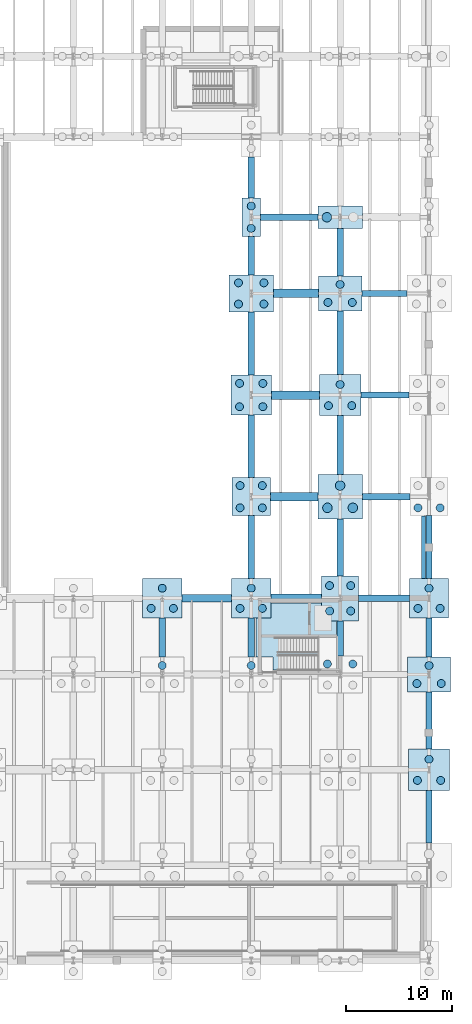
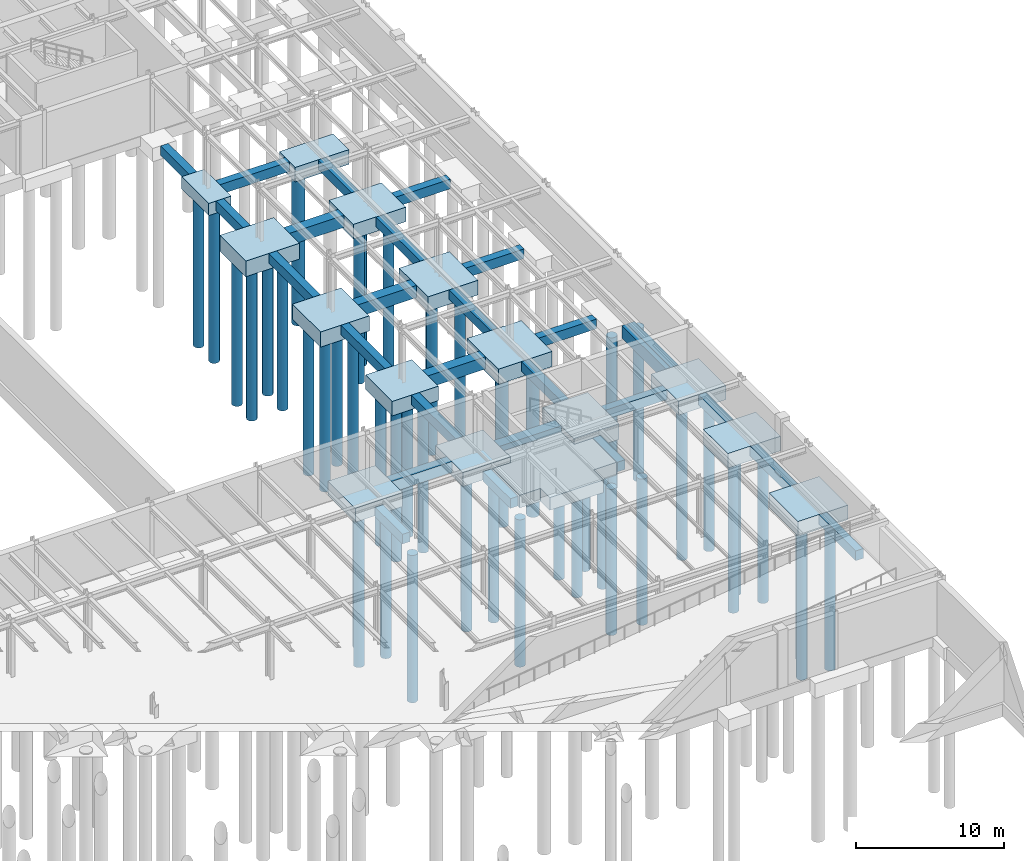
# One storey, part 11 of 59: 49 piles, 42 footings.
"""IFC4 building model written with IfcOpenShell, lengths in metres."""

from ifc_helpers import new_model, si_unit, direction, frame, origin, origin_2d, place, context, subcontext, project, spatial, polyline, rectangle, circle, outline, extrude, material, material_profile, profile_set, type_object, element, save


model = new_model("IFC4")

# Units and contexts
model_context = context("Model", 3, precision=1e-05, world=origin(), true_north=direction((0.0, 1.0)))
body_context = subcontext(model_context, "Body", "Model", "MODEL_VIEW")
ifc_project = project(units=[si_unit("LENGTHUNIT", "METRE"), si_unit("AREAUNIT", "SQUARE_METRE"), si_unit("VOLUMEUNIT", "CUBIC_METRE"), si_unit("PLANEANGLEUNIT", "RADIAN"), si_unit("MASSUNIT", "GRAM", prefix="KILO")], contexts=[model_context])

# Site, building, storey
site_placement = place(None, origin())
site = spatial("IfcSite", under=ifc_project, at=site_placement, CompositionType="ELEMENT")
building_placement = place(site_placement, origin())
building = spatial("IfcBuilding", under=site, at=building_placement, Name="Montealbar Specialist Clinic", CompositionType="ELEMENT")
storey_placement = place(building_placement, frame((0.0, 0.0, -4.800048828125)))
storey = spatial("IfcBuildingStorey", under=building, at=storey_placement, Name="B01", CompositionType="ELEMENT", Elevation=-4.800048828125)

# Footings
ifc_material = material(Name="Concrete C35/45", Category="concrete")
footing_type_1 = type_object("IfcFootingType", Name="FB-TIE-600x800", PredefinedType="FOOTING_BEAM", material=ifc_material)
footing_1_placement = place(storey_placement, frame((0.0, 0.0, -0.800048828125)))
element("IfcFooting", 1, at=footing_1_placement, inside=storey, type_object=footing_type_1, Name="Foundation Ground Beam FBX-1554-1602-522", PredefinedType="FOOTING_BEAM", context=body_context, shape_type="SweptSolid", body=[
    extrude(outline(polyline([(155.35009765625, 51.89990234375), (160.14990234375, 51.89990234375), (160.14990234375, 52.5), (155.35009765625, 52.5), (155.35009765625, 51.89990234375)])), origin(), (0.0, 0.0, 1.0), 0.800048828125),
])
footing_2_placement = place(storey_placement, frame((0.0, 0.0, -0.800048828125)))
element("IfcFooting", 2, at=footing_2_placement, inside=storey, type_object=footing_type_1, Name="Foundation Ground Beam FBX-1557-1602-618", PredefinedType="FOOTING_BEAM", context=body_context, shape_type="SweptSolid", body=[
    extrude(outline(polyline([(155.699951171875, 61.5), (160.199951171875, 61.5), (160.199951171875, 62.10009765625), (155.699951171875, 62.10009765625), (155.699951171875, 61.5)])), origin(), (0.0, 0.0, 1.0), 0.800048828125),
])
footing_3_placement = place(storey_placement, frame((0.0, 0.0, -0.800048828125)))
element("IfcFooting", 3, at=footing_3_placement, inside=storey, type_object=footing_type_1, Name="Foundation Ground Beam FBX-1556-1601-714", PredefinedType="FOOTING_BEAM", context=body_context, shape_type="SweptSolid", body=[
    extrude(outline(polyline([(155.550048828125, 71.10009765625), (160.10009765625, 71.10009765625), (160.10009765625, 71.699951171875), (155.550048828125, 71.699951171875), (155.550048828125, 71.10009765625)])), origin(), (0.0, 0.0, 1.0), 0.800048828125),
])
footing_4_placement = place(storey_placement, frame((0.0, 0.0, -0.800048828125)))
element("IfcFooting", 4, at=footing_4_placement, inside=storey, type_object=footing_type_1, Name="Foundation Ground Beam FBX-1556-1599-810", PredefinedType="FOOTING_BEAM", context=body_context, shape_type="SweptSolid", body=[
    extrude(outline(polyline([(155.64990234375, 80.699951171875), (159.89990234375, 80.699951171875), (159.89990234375, 81.300048828125), (155.64990234375, 81.300048828125), (155.64990234375, 80.699951171875)])), origin(), (0.0, 0.0, 1.0), 0.800048828125),
])
footing_5_placement = place(storey_placement, frame((0.0, 0.0, -0.800048828125)))
element("IfcFooting", 5, at=footing_5_placement, inside=storey, type_object=footing_type_1, Name="Foundation Ground Beam FBX-1461-1515-882", PredefinedType="FOOTING_BEAM", context=body_context, shape_type="SweptSolid", body=[
    extrude(outline(polyline([(146.074951171875, 87.89990234375), (151.5, 87.89990234375), (151.5, 88.5), (146.074951171875, 88.5), (146.074951171875, 87.89990234375)])), origin(), (0.0, 0.0, 1.0), 0.800048828125),
])
footing_6_placement = place(storey_placement, frame((0.0, 0.0, -1.25)))
element("IfcFooting", 6, at=footing_6_placement, inside=storey, type_object=footing_type_1, Name="Foundation Tie Beam FBY-1368-466-504", PredefinedType="FOOTING_BEAM", context=body_context, shape_type="SweptSolid", body=[
    extrude(outline(polyline([(136.5, 46.64990234375), (137.10009765625, 46.64990234375), (137.10009765625, 50.35009765625), (136.5, 50.35009765625), (136.5, 46.64990234375)])), origin(), (0.0, 0.0, 1.0), 0.800048828125),
])
footing_7_placement = place(storey_placement, frame((0.0, 0.0, -1.25)))
element("IfcFooting", 7, at=footing_7_placement, inside=storey, type_object=footing_type_1, Name="Foundation Tie Beam FBY-1452-466-504", PredefinedType="FOOTING_BEAM", context=body_context, shape_type="SweptSolid", body=[
    extrude(outline(polyline([(144.89990234375, 46.64990234375), (145.5, 46.64990234375), (145.5, 50.35009765625), (144.89990234375, 50.35009765625), (144.89990234375, 46.64990234375)])), origin(), (0.0, 0.0, 1.0), 0.800048828125),
])
footing_8_placement = place(storey_placement, frame((0.0, 0.0, -0.800048828125)))
element("IfcFooting", 8, at=footing_8_placement, inside=storey, type_object=footing_type_1, Name="Foundation Tie Beam FBY-1452-540-600", PredefinedType="FOOTING_BEAM", context=body_context, shape_type="SweptSolid", body=[
    extrude(outline(polyline([(144.89990234375, 54.050048828125), (145.5, 54.050048828125), (145.5, 60.0), (144.89990234375, 60.0), (144.89990234375, 54.050048828125)])), origin(), (0.0, 0.0, 1.0), 0.800048828125),
])
footing_9_placement = place(storey_placement, frame((0.0, 0.0, -0.800048828125)))
element("IfcFooting", 9, at=footing_9_placement, inside=storey, type_object=footing_type_1, Name="Foundation Tie Beam FBY-1452-636-695", PredefinedType="FOOTING_BEAM", context=body_context, shape_type="SweptSolid", body=[
    extrude(outline(polyline([(144.89990234375, 63.60009765625), (145.5, 63.60009765625), (145.5, 69.5), (144.89990234375, 69.5), (144.89990234375, 63.60009765625)])), origin(), (0.0, 0.0, 1.0), 0.800048828125),
])
footing_10_placement = place(storey_placement, frame((0.0, 0.0, -0.800048828125)))
element("IfcFooting", 10, at=footing_10_placement, inside=storey, type_object=footing_type_1, Name="Foundation Tie Beam FBY-1452-733-792", PredefinedType="FOOTING_BEAM", context=body_context, shape_type="SweptSolid", body=[
    extrude(outline(polyline([(144.89990234375, 73.300048828125), (145.5, 73.300048828125), (145.5, 79.25), (144.89990234375, 79.25), (144.89990234375, 73.300048828125)])), origin(), (0.0, 0.0, 1.0), 0.800048828125),
])
footing_11_placement = place(storey_placement, frame((0.0, 0.0, -0.800048828125)))
element("IfcFooting", 11, at=footing_11_placement, inside=storey, type_object=footing_type_1, Name="Foundation Tie Beam FBY-1452-828-864", PredefinedType="FOOTING_BEAM", context=body_context, shape_type="SweptSolid", body=[
    extrude(outline(polyline([(144.89990234375, 82.75), (145.5, 82.75), (145.5, 86.375), (144.89990234375, 86.375), (144.89990234375, 82.75)])), origin(), (0.0, 0.0, 1.0), 0.800048828125),
])
footing_12_placement = place(storey_placement, frame((0.0, 0.0, -0.800048828125)))
element("IfcFooting", 12, at=footing_12_placement, inside=storey, type_object=footing_type_1, Name="Foundation Tie Beam FBY-1452-900-939", PredefinedType="FOOTING_BEAM", context=body_context, shape_type="SweptSolid", body=[
    extrude(outline(polyline([(144.89990234375, 90.02490234375), (145.5, 90.02490234375), (145.5, 93.875), (144.89990234375, 93.875), (144.89990234375, 90.02490234375)])), origin(), (0.0, 0.0, 1.0), 0.800048828125),
])
footing_13_placement = place(storey_placement, frame((0.0, 0.0, -1.25)))
element("IfcFooting", 13, at=footing_13_placement, inside=storey, type_object=footing_type_1, Name="Foundation Tie Beam FBY-1536-468-501", PredefinedType="FOOTING_BEAM", context=body_context, shape_type="SweptSolid", body=[
    extrude(outline(polyline([(153.300048828125, 46.75), (153.89990234375, 46.75), (153.89990234375, 50.074951171875), (153.300048828125, 50.074951171875), (153.300048828125, 46.75)])), origin(), (0.0, 0.0, 1.0), 0.800048828125),
])
footing_14_placement = place(storey_placement, frame((0.0, 0.0, -0.800048828125)))
element("IfcFooting", 14, at=footing_14_placement, inside=storey, type_object=footing_type_1, Name="Foundation Tie Beam FBY-1536-543-597", PredefinedType="FOOTING_BEAM", context=body_context, shape_type="SweptSolid", body=[
    extrude(outline(polyline([(153.300048828125, 54.324951171875), (153.89990234375, 54.324951171875), (153.89990234375, 59.699951171875), (153.300048828125, 59.699951171875), (153.300048828125, 54.324951171875)])), origin(), (0.0, 0.0, 1.0), 0.800048828125),
])
footing_15_placement = place(storey_placement, frame((0.0, 0.0, -0.800048828125)))
element("IfcFooting", 15, at=footing_15_placement, inside=storey, type_object=footing_type_1, Name="Foundation Tie Beam FBY-1536-639-694", PredefinedType="FOOTING_BEAM", context=body_context, shape_type="SweptSolid", body=[
    extrude(outline(polyline([(153.300048828125, 63.89990234375), (153.89990234375, 63.89990234375), (153.89990234375, 69.449951171875), (153.300048828125, 69.449951171875), (153.300048828125, 63.89990234375)])), origin(), (0.0, 0.0, 1.0), 0.800048828125),
])
footing_16_placement = place(storey_placement, frame((0.0, 0.0, -0.800048828125)))
element("IfcFooting", 16, at=footing_16_placement, inside=storey, type_object=footing_type_1, Name="Foundation Tie Beam FBY-1536-734-794", PredefinedType="FOOTING_BEAM", context=body_context, shape_type="SweptSolid", body=[
    extrude(outline(polyline([(153.300048828125, 73.35009765625), (153.89990234375, 73.35009765625), (153.89990234375, 79.35009765625), (153.300048828125, 79.35009765625), (153.300048828125, 73.35009765625)])), origin(), (0.0, 0.0, 1.0), 0.800048828125),
])
footing_17_placement = place(storey_placement, frame((0.0, 0.0, -0.800048828125)))
element("IfcFooting", 17, at=footing_17_placement, inside=storey, type_object=footing_type_1, Name="Foundation Tie Beam FBY-1536-826-871", PredefinedType="FOOTING_BEAM", context=body_context, shape_type="SweptSolid", body=[
    extrude(outline(polyline([(153.300048828125, 82.64990234375), (153.89990234375, 82.64990234375), (153.89990234375, 87.125), (153.300048828125, 87.125), (153.300048828125, 82.64990234375)])), origin(), (0.0, 0.0, 1.0), 0.800048828125),
])
footing_18_placement = place(storey_placement, frame((0.0, 0.0, -0.800048828125)))
element("IfcFooting", 18, at=footing_18_placement, inside=storey, type_object=footing_type_1, Name="Foundation Tie Beam FBY-1620-291-340", PredefinedType="FOOTING_BEAM", context=body_context, shape_type="SweptSolid", body=[
    extrude(outline(polyline([(161.699951171875, 29.10009765625), (162.300048828125, 29.10009765625), (162.300048828125, 34.050048828125), (161.699951171875, 34.050048828125), (161.699951171875, 29.10009765625)])), origin(), (0.0, 0.0, 1.0), 0.800048828125),
])
footing_19_placement = place(storey_placement, frame((0.0, 0.0, -0.800048828125)))
element("IfcFooting", 19, at=footing_19_placement, inside=storey, type_object=footing_type_1, Name="Foundation Tie Beam FBY-1620-380-434", PredefinedType="FOOTING_BEAM", context=body_context, shape_type="SweptSolid", body=[
    extrude(outline(polyline([(161.699951171875, 37.949951171875), (162.300048828125, 37.949951171875), (162.300048828125, 43.35009765625), (161.699951171875, 43.35009765625), (161.699951171875, 37.949951171875)])), origin(), (0.0, 0.0, 1.0), 0.800048828125),
])
footing_20_placement = place(storey_placement, frame((0.0, 0.0, -0.800048828125)))
element("IfcFooting", 20, at=footing_20_placement, inside=storey, type_object=footing_type_1, Name="Foundation Tie Beam FBY-1620-466-504", PredefinedType="FOOTING_BEAM", context=body_context, shape_type="SweptSolid", body=[
    extrude(outline(polyline([(161.699951171875, 46.64990234375), (162.300048828125, 46.64990234375), (162.300048828125, 50.35009765625), (161.699951171875, 50.35009765625), (161.699951171875, 46.64990234375)])), origin(), (0.0, 0.0, 1.0), 0.800048828125),
])
footing_21_placement = place(storey_placement, frame((0.0, 0.0, -0.800048828125)))
element("IfcFooting", 21, at=footing_21_placement, inside=storey, type_object=footing_type_1, Name="Foundation Tie Beam FBY-1620-540-600", PredefinedType="FOOTING_BEAM", context=body_context, shape_type="SweptSolid", body=[
    extrude(outline(polyline([(161.699951171875, 54.050048828125), (162.300048828125, 54.050048828125), (162.300048828125, 60.0), (161.699951171875, 60.0), (161.699951171875, 54.050048828125)])), origin(), (0.0, 0.0, 1.0), 0.800048828125),
])
footing_type_2 = type_object("IfcFootingType", Name="FB-TIE-700x900", PredefinedType="FOOTING_BEAM", material=ifc_material)
footing_22_placement = place(storey_placement, frame((0.0, 0.0, -0.89990234375)))
element("IfcFooting", 22, at=footing_22_placement, inside=storey, type_object=footing_type_2, Name="Foundation Ground Beam FBX-1386-1434-522", PredefinedType="FOOTING_BEAM", context=body_context, shape_type="SweptSolid", body=[
    extrude(outline(polyline([(138.64990234375, 51.85009765625), (143.35009765625, 51.85009765625), (143.35009765625, 52.550048828125), (138.64990234375, 52.550048828125), (138.64990234375, 51.85009765625)])), origin(), (0.0, 0.0, 1.0), 0.89990234375),
])
footing_type_3 = type_object("IfcFootingType", Name="FB-TIE-800x1000", PredefinedType="FOOTING_BEAM", material=ifc_material)
footing_23_placement = place(storey_placement, frame((0.0, 0.0, -1.0)))
element("IfcFooting", 23, at=footing_23_placement, inside=storey, type_object=footing_type_3, Name="Foundation Ground Beam FBX-1470-1518-522", PredefinedType="FOOTING_BEAM", context=body_context, shape_type="SweptSolid", body=[
    extrude(outline(polyline([(147.050048828125, 51.800048828125), (151.85009765625, 51.800048828125), (151.85009765625, 52.60009765625), (147.050048828125, 52.60009765625), (147.050048828125, 51.800048828125)])), origin(), (0.0, 0.0, 1.0), 1.0),
])
footing_24_placement = place(storey_placement, frame((0.0, 0.0, -1.0)))
element("IfcFooting", 24, at=footing_24_placement, inside=storey, type_object=footing_type_3, Name="Foundation Ground Beam FBX-1470-1515-618", PredefinedType="FOOTING_BEAM", context=body_context, shape_type="SweptSolid", body=[
    extrude(outline(polyline([(147.0, 61.39990234375), (151.5, 61.39990234375), (151.5, 62.199951171875), (147.0, 62.199951171875), (147.0, 61.39990234375)])), origin(), (0.0, 0.0, 1.0), 1.0),
])
footing_25_placement = place(storey_placement, frame((0.0, 0.0, -1.0)))
element("IfcFooting", 25, at=footing_25_placement, inside=storey, type_object=footing_type_3, Name="Foundation Ground Beam FBX-1471-1516-714", PredefinedType="FOOTING_BEAM", context=body_context, shape_type="SweptSolid", body=[
    extrude(outline(polyline([(147.10009765625, 71.0), (151.64990234375, 71.0), (151.64990234375, 71.800048828125), (147.10009765625, 71.800048828125), (147.10009765625, 71.0)])), origin(), (0.0, 0.0, 1.0), 1.0),
])
footing_26_placement = place(storey_placement, frame((0.0, 0.0, -1.0)))
element("IfcFooting", 26, at=footing_26_placement, inside=storey, type_object=footing_type_3, Name="Foundation Ground Beam FBX-1473-1516-810", PredefinedType="FOOTING_BEAM", context=body_context, shape_type="SweptSolid", body=[
    extrude(outline(polyline([(147.300048828125, 80.60009765625), (151.550048828125, 80.60009765625), (151.550048828125, 81.39990234375), (147.300048828125, 81.39990234375), (147.300048828125, 80.60009765625)])), origin(), (0.0, 0.0, 1.0), 1.0),
])
footing_type_4 = type_object("IfcFootingType", Name="FT-CORE-STRIP", PredefinedType="STRIP_FOOTING", material=ifc_material)
footing_27_placement = place(storey_placement, frame((0.0, 0.0, -1.050048828125)))
element("IfcFooting", 27, at=footing_27_placement, inside=storey, type_object=footing_type_4, Name="Strip Footing FT-PLINTH-NE-E-7", PredefinedType="STRIP_FOOTING", context=body_context, shape_type="SweptSolid", body=[
    extrude(outline(polyline([(161.300048828125, 54.080078125), (161.300048828125, 59.969970703125), (161.669921875, 59.969970703125), (161.669921875, 54.080078125), (161.300048828125, 54.080078125)])), origin(), (0.0, 0.0, 1.0), 1.050048828125),
])
footing_28_placement = place(storey_placement, frame((0.0, 0.0, -1.5)))
element("IfcFooting", 28, at=footing_28_placement, inside=storey, type_object=footing_type_4, Name="Strip Footing FT-CORE-C6-1", PredefinedType="STRIP_FOOTING", context=body_context, shape_type="SweptSolid", body=[
    extrude(outline(polyline([(147.080078125, 50.320068359375), (147.080078125, 51.77001953125), (151.820068359375, 51.77001953125), (151.820068359375, 50.044921875), (153.27001953125, 50.044921875), (153.27001953125, 46.780029296875), (151.469970703125, 46.780029296875), (151.469970703125, 45.429931640625), (147.280029296875, 45.429931640625), (147.280029296875, 46.679931640625), (145.64990234375, 46.679931640625), (145.64990234375, 50.320068359375), (147.080078125, 50.320068359375)])), origin(), (0.0, 0.0, 1.0), 1.050048828125),
])
footing_type_5 = type_object("IfcFootingType", Name="PC-2D", PredefinedType="PILE_CAP", material=ifc_material)
footing_29_placement = place(storey_placement, frame((145.199951171875, 88.199951171875, -1.0), z_axis=(0.0, 0.0, 1.0), x_axis=(1.0, 0.0, 0.0)))
element("IfcFooting", 29, at=footing_29_placement, inside=storey, type_object=footing_type_5, Name="Pile Cap 19/L", PredefinedType="PILE_CAP", context=body_context, shape_type="SweptSolid", body=[
    extrude(rectangle(XDim=1.75, YDim=3.64990234375, at=origin_2d()), origin(), (0.0, 0.0, 1.0), 1.0),
])
footing_type_6 = type_object("IfcFootingType", Name="PC-2H", PredefinedType="PILE_CAP", material=ifc_material)
footing_30_placement = place(storey_placement, frame((153.60009765625, 88.199951171875, -1.19970703125), z_axis=(0.0, 0.0, 1.0), x_axis=(1.0, 0.0, 0.0)))
element("IfcFooting", 30, at=footing_30_placement, inside=storey, type_object=footing_type_6, Name="Pile Cap 20/L", PredefinedType="PILE_CAP", context=body_context, shape_type="SweptSolid", body=[
    extrude(rectangle(XDim=4.199951171875, YDim=2.14990234375, at=origin_2d()), origin(), (0.0, 0.0, 1.0), 1.199951171875),
])
footing_type_7 = type_object("IfcFootingType", Name="PC-3A", PredefinedType="PILE_CAP", material=ifc_material)
for number, where, z_axis, x_axis, name in (
    (31, (136.800048828125, 52.199951171875, -1.14990234375), (0.0, 0.0, 1.0), (1.0, 0.0, 0.0), "Pile Cap 18/G"),
    (32, (145.199951171875, 52.199951171875, -1.14990234375), (0.0, 0.0, 1.0), (1.0, 0.0, 0.0), "Pile Cap 19/G"),
    (33, (162.0, 52.199951171875, -1.14990234375), (0.0, 0.0, 1.0), (1.0, 0.0, 0.0), "Pile Cap 21/G"),
):
    element("IfcFooting", number, at=place(storey_placement, frame(where, z_axis=z_axis, x_axis=x_axis)), inside=storey, type_object=footing_type_7, Name=name, PredefinedType="PILE_CAP", context=body_context, shape_type="SweptSolid", body=[
        extrude(rectangle(XDim=3.699951171875, YDim=3.699951171875, at=origin_2d()), origin(), (0.0, 0.0, 1.0), 1.14990234375),
    ])
footing_type_8 = type_object("IfcFootingType", Name="PC-3B", PredefinedType="PILE_CAP", material=ifc_material)
for number, where, z_axis, x_axis, name in (
    (34, (153.60009765625, 71.39990234375, -1.19970703125), (0.0, 0.0, 1.0), (1.0, 0.0, 0.0), "Pile Cap 20/J"),
    (35, (162.0, 36.0, -1.19970703125), (0.0, 0.0, 1.0), (1.0, 0.0, 0.0), "Pile Cap 21/E"),
):
    element("IfcFooting", number, at=place(storey_placement, frame(where, z_axis=z_axis, x_axis=x_axis)), inside=storey, type_object=footing_type_8, Name=name, PredefinedType="PILE_CAP", context=body_context, shape_type="SweptSolid", body=[
        extrude(rectangle(XDim=3.89990234375, YDim=3.89990234375, at=origin_2d()), origin(), (0.0, 0.0, 1.0), 1.199951171875),
    ])
footing_type_9 = type_object("IfcFootingType", Name="PC-3C", PredefinedType="PILE_CAP", material=ifc_material)
for number, where, z_axis, x_axis, name in (
    (36, (153.60009765625, 81.0, -1.19970703125), (0.0, 0.0, 1.0), (1.0, 0.0, 0.0), "Pile Cap 20/K"),
    (37, (162.0, 45.0, -1.19970703125), (0.0, 0.0, 1.0), (1.0, 0.0, 0.0), "Pile Cap 21/F"),
):
    element("IfcFooting", number, at=place(storey_placement, frame(where, z_axis=z_axis, x_axis=x_axis)), inside=storey, type_object=footing_type_9, Name=name, PredefinedType="PILE_CAP", context=body_context, shape_type="SweptSolid", body=[
        extrude(rectangle(XDim=4.10009765625, YDim=3.300048828125, at=origin_2d()), origin(), (0.0, 0.0, 1.0), 1.199951171875),
    ])
footing_type_10 = type_object("IfcFootingType", Name="PC-3D", PredefinedType="PILE_CAP", material=ifc_material)
footing_31_placement = place(storey_placement, frame((153.60009765625, 61.800048828125, -1.25), z_axis=(0.0, 0.0, 1.0), x_axis=(1.0, 0.0, 0.0)))
element("IfcFooting", 38, at=footing_31_placement, inside=storey, type_object=footing_type_10, Name="Pile Cap 20/H", PredefinedType="PILE_CAP", context=body_context, shape_type="SweptSolid", body=[
    extrude(rectangle(XDim=4.199951171875, YDim=4.199951171875, at=origin_2d()), origin(), (0.0, 0.0, 1.0), 1.25),
])
footing_type_11 = type_object("IfcFootingType", Name="PC-4A", PredefinedType="PILE_CAP", material=ifc_material)
footing_32_placement = place(storey_placement, frame((145.199951171875, 61.800048828125, -1.19970703125), z_axis=(0.0, 0.0, 1.0), x_axis=(1.0, 0.0, 0.0)))
element("IfcFooting", 39, at=footing_32_placement, inside=storey, type_object=footing_type_11, Name="Pile Cap 19/H", PredefinedType="PILE_CAP", context=body_context, shape_type="SweptSolid", body=[
    extrude(rectangle(XDim=3.60009765625, YDim=3.60009765625, at=origin_2d()), origin(), (0.0, 0.0, 1.0), 1.199951171875),
])
footing_type_12 = type_object("IfcFootingType", Name="PC-4B", PredefinedType="PILE_CAP", material=ifc_material)
footing_33_placement = place(storey_placement, frame((145.199951171875, 71.39990234375, -1.25), z_axis=(0.0, 0.0, 1.0), x_axis=(1.0, 0.0, 0.0)))
element("IfcFooting", 40, at=footing_33_placement, inside=storey, type_object=footing_type_12, Name="Pile Cap 19/J", PredefinedType="PILE_CAP", context=body_context, shape_type="SweptSolid", body=[
    extrude(rectangle(XDim=3.800048828125, YDim=3.800048828125, at=origin_2d()), origin(), (0.0, 0.0, 1.0), 1.25),
])
footing_type_13 = type_object("IfcFootingType", Name="PC-4D", PredefinedType="PILE_CAP", material=ifc_material)
footing_34_placement = place(storey_placement, frame((145.199951171875, 81.0, -1.2998046875), z_axis=(0.0, 0.0, 1.0), x_axis=(1.0, 0.0, 0.0)))
element("IfcFooting", 41, at=footing_34_placement, inside=storey, type_object=footing_type_13, Name="Pile Cap 19/K", PredefinedType="PILE_CAP", context=body_context, shape_type="SweptSolid", body=[
    extrude(rectangle(XDim=4.199951171875, YDim=3.5, at=origin_2d()), origin(), (0.0, 0.0, 1.0), 1.300048828125),
])
footing_type_14 = type_object("IfcFootingType", Name="PC-4E", PredefinedType="PILE_CAP", material=ifc_material)
footing_35_placement = place(storey_placement, frame((153.60009765625, 52.199951171875, -1.2998046875), z_axis=(0.0, 0.0, 1.0), x_axis=(1.0, 0.0, 0.0)))
element("IfcFooting", 42, at=footing_35_placement, inside=storey, type_object=footing_type_14, Name="Pile Cap 20/G", PredefinedType="PILE_CAP", context=body_context, shape_type="SweptSolid", body=[
    extrude(rectangle(XDim=3.5, YDim=4.25, at=origin_2d()), origin(), (0.0, 0.0, 1.0), 1.300048828125),
])

# Piles
ifc_material_profile_1 = material_profile(ifc_material, circle(Radius=0.375, at=origin_2d()), Name="PILE D750", Category="concrete")
ifc_profile_set_1 = profile_set([ifc_material_profile_1], Name="Concrete C35/45")
pile_type_1 = type_object("IfcPileType", Name="PILE-D750", PredefinedType="BORED", material=ifc_profile_set_1)
pile_1_placement = place(storey_placement, frame((136.800048828125, 45.85009765625, -1.550048828125), z_axis=(0.0, 0.0, -1.0), x_axis=(1.0, 0.0, 0.0)))
element("IfcPile", 43, at=pile_1_placement, inside=storey, type_object=pile_type_1, Name="Bored Pile 18/F-P3", PredefinedType="BORED", context=body_context, shape_type="SweptSolid", body=[
    extrude(circle(Radius=0.375, at=origin_2d()), origin(), (0.0, 0.0, 1.0), 12.14990234375),
])
for number, where, z_axis, x_axis, name in (
    (44, (135.75, 51.25, -1.050048828125), (0.0, 0.0, -1.0), (1.0, 0.0, 0.0), "Bored Pile 18/G-P1"),
    (45, (137.85009765625, 51.25, -1.050048828125), (0.0, 0.0, -1.0), (1.0, 0.0, 0.0), "Bored Pile 18/G-P2"),
    (46, (136.800048828125, 53.14990234375, -1.050048828125), (0.0, 0.0, -1.0), (1.0, 0.0, 0.0), "Bored Pile 18/G-P3"),
):
    element("IfcPile", number, at=place(storey_placement, frame(where, z_axis=z_axis, x_axis=x_axis)), inside=storey, type_object=pile_type_1, Name=name, PredefinedType="BORED", context=body_context, shape_type="SweptSolid", body=[
        extrude(circle(Radius=0.375, at=origin_2d()), origin(), (0.0, 0.0, 1.0), 12.64990234375),
    ])
pile_2_placement = place(storey_placement, frame((145.199951171875, 45.85009765625, -1.550048828125), z_axis=(0.0, 0.0, -1.0), x_axis=(1.0, 0.0, 0.0)))
element("IfcPile", 47, at=pile_2_placement, inside=storey, type_object=pile_type_1, Name="Bored Pile 19/F-P3", PredefinedType="BORED", context=body_context, shape_type="SweptSolid", body=[
    extrude(circle(Radius=0.375, at=origin_2d()), origin(), (0.0, 0.0, 1.0), 12.14990234375),
])
for number, where, z_axis, x_axis, name in (
    (48, (144.14990234375, 51.25, -1.050048828125), (0.0, 0.0, -1.0), (1.0, 0.0, 0.0), "Bored Pile 19/G-P1"),
    (49, (146.25, 51.25, -1.050048828125), (0.0, 0.0, -1.0), (1.0, 0.0, 0.0), "Bored Pile 19/G-P2"),
    (50, (145.199951171875, 53.14990234375, -1.050048828125), (0.0, 0.0, -1.0), (1.0, 0.0, 0.0), "Bored Pile 19/G-P3"),
):
    element("IfcPile", number, at=place(storey_placement, frame(where, z_axis=z_axis, x_axis=x_axis)), inside=storey, type_object=pile_type_1, Name=name, PredefinedType="BORED", context=body_context, shape_type="SweptSolid", body=[
        extrude(circle(Radius=0.375, at=origin_2d()), origin(), (0.0, 0.0, 1.0), 12.64990234375),
    ])
for number, where, z_axis, x_axis, name in (
    (51, (144.14990234375, 60.75, -1.099853515625), (0.0, 0.0, -1.0), (1.0, 0.0, 0.0), "Bored Pile 19/H-P1"),
    (52, (146.25, 60.75, -1.099853515625), (0.0, 0.0, -1.0), (1.0, 0.0, 0.0), "Bored Pile 19/H-P2"),
    (53, (144.14990234375, 62.85009765625, -1.099853515625), (0.0, 0.0, -1.0), (1.0, 0.0, 0.0), "Bored Pile 19/H-P3"),
    (54, (146.25, 62.85009765625, -1.099853515625), (0.0, 0.0, -1.0), (1.0, 0.0, 0.0), "Bored Pile 19/H-P4"),
):
    element("IfcPile", number, at=place(storey_placement, frame(where, z_axis=z_axis, x_axis=x_axis)), inside=storey, type_object=pile_type_1, Name=name, PredefinedType="BORED", context=body_context, shape_type="SweptSolid", body=[
        extrude(circle(Radius=0.375, at=origin_2d()), origin(), (0.0, 0.0, 1.0), 12.60009765625),
    ])
for number, where, z_axis, x_axis, name in (
    (55, (144.10009765625, 70.300048828125, -1.14990234375), (0.0, 0.0, -1.0), (1.0, 0.0, 0.0), "Bored Pile 19/J-P1"),
    (56, (146.300048828125, 70.300048828125, -1.14990234375), (0.0, 0.0, -1.0), (1.0, 0.0, 0.0), "Bored Pile 19/J-P2"),
    (57, (144.10009765625, 72.5, -1.14990234375), (0.0, 0.0, -1.0), (1.0, 0.0, 0.0), "Bored Pile 19/J-P3"),
    (58, (146.300048828125, 72.5, -1.14990234375), (0.0, 0.0, -1.0), (1.0, 0.0, 0.0), "Bored Pile 19/J-P4"),
):
    element("IfcPile", number, at=place(storey_placement, frame(where, z_axis=z_axis, x_axis=x_axis)), inside=storey, type_object=pile_type_1, Name=name, PredefinedType="BORED", context=body_context, shape_type="SweptSolid", body=[
        extrude(circle(Radius=0.375, at=origin_2d()), origin(), (0.0, 0.0, 1.0), 12.550048828125),
    ])
for number, where, z_axis, x_axis, name in (
    (59, (144.0, 80.0, -1.199951171875), (0.0, 0.0, -1.0), (1.0, 0.0, 0.0), "Bored Pile 19/K-P1"),
    (60, (146.39990234375, 80.0, -1.199951171875), (0.0, 0.0, -1.0), (1.0, 0.0, 0.0), "Bored Pile 19/K-P2"),
    (61, (144.0, 82.0, -1.199951171875), (0.0, 0.0, -1.0), (1.0, 0.0, 0.0), "Bored Pile 19/K-P3"),
    (62, (146.39990234375, 82.0, -1.199951171875), (0.0, 0.0, -1.0), (1.0, 0.0, 0.0), "Bored Pile 19/K-P4"),
):
    element("IfcPile", number, at=place(storey_placement, frame(where, z_axis=z_axis, x_axis=x_axis)), inside=storey, type_object=pile_type_1, Name=name, PredefinedType="BORED", context=body_context, shape_type="SweptSolid", body=[
        extrude(circle(Radius=0.375, at=origin_2d()), origin(), (0.0, 0.0, 1.0), 12.5),
    ])
for number, where, z_axis, x_axis, name in (
    (63, (145.199951171875, 87.14990234375, -0.89990234375), (0.0, 0.0, -1.0), (1.0, 0.0, 0.0), "Bored Pile 19/L-P1"),
    (64, (145.199951171875, 89.25, -0.89990234375), (0.0, 0.0, -1.0), (1.0, 0.0, 0.0), "Bored Pile 19/L-P2"),
):
    element("IfcPile", number, at=place(storey_placement, frame(where, z_axis=z_axis, x_axis=x_axis)), inside=storey, type_object=pile_type_1, Name=name, PredefinedType="BORED", context=body_context, shape_type="SweptSolid", body=[
        extrude(circle(Radius=0.375, at=origin_2d()), origin(), (0.0, 0.0, 1.0), 12.800048828125),
    ])
for number, where, z_axis, x_axis, name in (
    (65, (152.39990234375, 46.0, -1.64990234375), (0.0, 0.0, -1.0), (1.0, 0.0, 0.0), "Bored Pile 20/F-P3"),
    (66, (154.800048828125, 46.0, -1.64990234375), (0.0, 0.0, -1.0), (1.0, 0.0, 0.0), "Bored Pile 20/F-P4"),
):
    element("IfcPile", number, at=place(storey_placement, frame(where, z_axis=z_axis, x_axis=x_axis)), inside=storey, type_object=pile_type_1, Name=name, PredefinedType="BORED", context=body_context, shape_type="SweptSolid", body=[
        extrude(circle(Radius=0.375, at=origin_2d()), origin(), (0.0, 0.0, 1.0), 12.050048828125),
    ])
for number, where, z_axis, x_axis, name in (
    (67, (152.60009765625, 51.0, -1.199951171875), (0.0, 0.0, -1.0), (1.0, 0.0, 0.0), "Bored Pile 20/G-P1"),
    (68, (154.60009765625, 51.0, -1.199951171875), (0.0, 0.0, -1.0), (1.0, 0.0, 0.0), "Bored Pile 20/G-P2"),
    (69, (152.60009765625, 53.39990234375, -1.199951171875), (0.0, 0.0, -1.0), (1.0, 0.0, 0.0), "Bored Pile 20/G-P3"),
    (70, (154.60009765625, 53.39990234375, -1.199951171875), (0.0, 0.0, -1.0), (1.0, 0.0, 0.0), "Bored Pile 20/G-P4"),
):
    element("IfcPile", number, at=place(storey_placement, frame(where, z_axis=z_axis, x_axis=x_axis)), inside=storey, type_object=pile_type_1, Name=name, PredefinedType="BORED", context=body_context, shape_type="SweptSolid", body=[
        extrude(circle(Radius=0.375, at=origin_2d()), origin(), (0.0, 0.0, 1.0), 12.5),
    ])
for number, where, z_axis, x_axis, name in (
    (71, (152.5, 70.39990234375, -1.099853515625), (0.0, 0.0, -1.0), (1.0, 0.0, 0.0), "Bored Pile 20/J-P1"),
    (72, (154.699951171875, 70.39990234375, -1.099853515625), (0.0, 0.0, -1.0), (1.0, 0.0, 0.0), "Bored Pile 20/J-P2"),
    (73, (153.60009765625, 72.39990234375, -1.099853515625), (0.0, 0.0, -1.0), (1.0, 0.0, 0.0), "Bored Pile 20/J-P3"),
    (74, (152.449951171875, 80.14990234375, -1.099853515625), (0.0, 0.0, -1.0), (1.0, 0.0, 0.0), "Bored Pile 20/K-P1"),
    (75, (154.75, 80.14990234375, -1.099853515625), (0.0, 0.0, -1.0), (1.0, 0.0, 0.0), "Bored Pile 20/K-P2"),
    (76, (153.60009765625, 81.85009765625, -1.099853515625), (0.0, 0.0, -1.0), (1.0, 0.0, 0.0), "Bored Pile 20/K-P3"),
    (77, (160.89990234375, 35.0, -1.099853515625), (0.0, 0.0, -1.0), (1.0, 0.0, 0.0), "Bored Pile 21/E-P1"),
    (78, (163.10009765625, 35.0, -1.099853515625), (0.0, 0.0, -1.0), (1.0, 0.0, 0.0), "Bored Pile 21/E-P2"),
    (79, (162.0, 37.0, -1.099853515625), (0.0, 0.0, -1.0), (1.0, 0.0, 0.0), "Bored Pile 21/E-P3"),
    (80, (160.85009765625, 44.14990234375, -1.099853515625), (0.0, 0.0, -1.0), (1.0, 0.0, 0.0), "Bored Pile 21/F-P1"),
    (81, (163.14990234375, 44.14990234375, -1.099853515625), (0.0, 0.0, -1.0), (1.0, 0.0, 0.0), "Bored Pile 21/F-P2"),
    (82, (162.0, 45.85009765625, -1.099853515625), (0.0, 0.0, -1.0), (1.0, 0.0, 0.0), "Bored Pile 21/F-P3"),
):
    element("IfcPile", number, at=place(storey_placement, frame(where, z_axis=z_axis, x_axis=x_axis)), inside=storey, type_object=pile_type_1, Name=name, PredefinedType="BORED", context=body_context, shape_type="SweptSolid", body=[
        extrude(circle(Radius=0.375, at=origin_2d()), origin(), (0.0, 0.0, 1.0), 12.60009765625),
    ])
for number, where, z_axis, x_axis, name in (
    (83, (160.949951171875, 51.25, -1.050048828125), (0.0, 0.0, -1.0), (1.0, 0.0, 0.0), "Bored Pile 21/G-P1"),
    (84, (163.050048828125, 51.25, -1.050048828125), (0.0, 0.0, -1.0), (1.0, 0.0, 0.0), "Bored Pile 21/G-P2"),
    (85, (162.0, 53.14990234375, -1.050048828125), (0.0, 0.0, -1.0), (1.0, 0.0, 0.0), "Bored Pile 21/G-P3"),
):
    element("IfcPile", number, at=place(storey_placement, frame(where, z_axis=z_axis, x_axis=x_axis)), inside=storey, type_object=pile_type_1, Name=name, PredefinedType="BORED", context=body_context, shape_type="SweptSolid", body=[
        extrude(circle(Radius=0.375, at=origin_2d()), origin(), (0.0, 0.0, 1.0), 12.64990234375),
    ])
for number, where, z_axis, x_axis, name in (
    (86, (160.949951171875, 60.75, -1.099853515625), (0.0, 0.0, -1.0), (1.0, 0.0, 0.0), "Bored Pile 21/H-P1"),
    (87, (163.050048828125, 60.75, -1.099853515625), (0.0, 0.0, -1.0), (1.0, 0.0, 0.0), "Bored Pile 21/H-P2"),
):
    element("IfcPile", number, at=place(storey_placement, frame(where, z_axis=z_axis, x_axis=x_axis)), inside=storey, type_object=pile_type_1, Name=name, PredefinedType="BORED", context=body_context, shape_type="SweptSolid", body=[
        extrude(circle(Radius=0.375, at=origin_2d()), origin(), (0.0, 0.0, 1.0), 12.60009765625),
    ])
ifc_material_profile_2 = material_profile(ifc_material, circle(Radius=0.449951171875, at=origin_2d()), Name="PILE D900", Category="concrete")
ifc_profile_set_2 = profile_set([ifc_material_profile_2], Name="Concrete C35/45")
pile_type_2 = type_object("IfcPileType", Name="PILE-D900", PredefinedType="BORED", material=ifc_profile_set_2)
for number, where, z_axis, x_axis, name in (
    (88, (152.39990234375, 60.75, -1.14990234375), (0.0, 0.0, -1.0), (1.0, 0.0, 0.0), "Bored Pile 20/H-P1"),
    (89, (154.800048828125, 60.75, -1.14990234375), (0.0, 0.0, -1.0), (1.0, 0.0, 0.0), "Bored Pile 20/H-P2"),
    (90, (153.60009765625, 62.85009765625, -1.14990234375), (0.0, 0.0, -1.0), (1.0, 0.0, 0.0), "Bored Pile 20/H-P3"),
):
    element("IfcPile", number, at=place(storey_placement, frame(where, z_axis=z_axis, x_axis=x_axis)), inside=storey, type_object=pile_type_2, Name=name, PredefinedType="BORED", context=body_context, shape_type="SweptSolid", body=[
        extrude(circle(Radius=0.449951171875, at=origin_2d()), origin(), (0.0, 0.0, 1.0), 12.550048828125),
    ])
pile_3_placement = place(storey_placement, frame((152.35009765625, 88.199951171875, -1.099853515625), z_axis=(0.0, 0.0, -1.0), x_axis=(1.0, 0.0, 0.0)))
element("IfcPile", 91, at=pile_3_placement, inside=storey, type_object=pile_type_2, Name="Bored Pile 20/L-P1", PredefinedType="BORED", context=body_context, shape_type="SweptSolid", body=[
    extrude(circle(Radius=0.449951171875, at=origin_2d()), origin(), (0.0, 0.0, 1.0), 12.60009765625),
])

save(model, "model.ifc")
